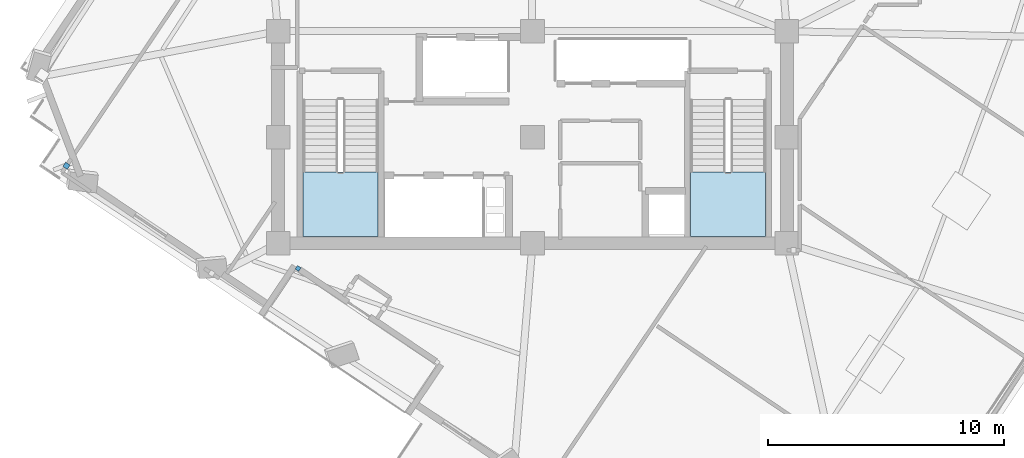
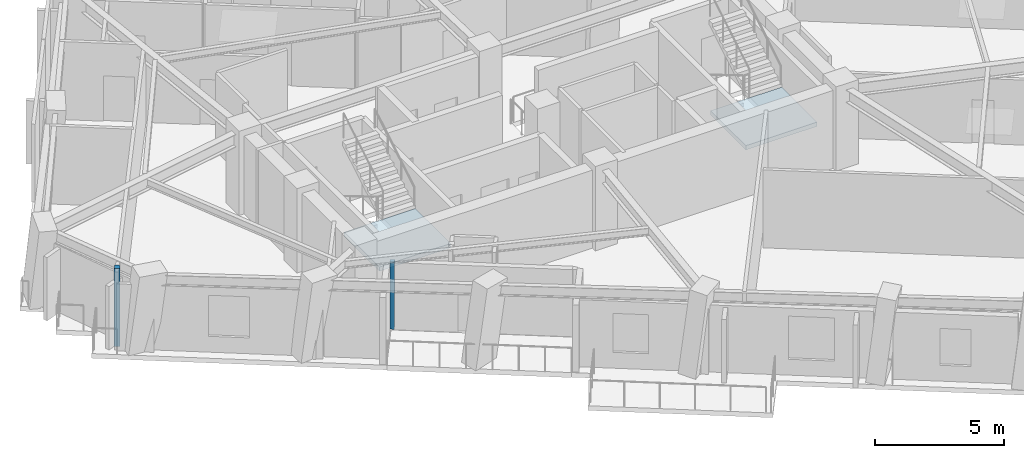
# One storey, part 4 of 14: 2 plates, 2 slabs, 2 elements without a shape of their own.
"""IFC4 building model written with IfcOpenShell, lengths in metres."""

from ifc_helpers import new_model, si_unit, direction, frame, origin, origin_2d, place, context, subcontext, project, spatial, polyline, rectangle, outline, extrude, material, layer, layer_set, type_object, element, aggregate, save


model = new_model("IFC4")

# Units and contexts
model_context = context("Model", 3, precision=1e-05, world=origin(), true_north=direction((0.0, 1.0)))
body_context = subcontext(model_context, "Body", "Model", "MODEL_VIEW")
ifc_project = project(units=[si_unit("LENGTHUNIT", "METRE"), si_unit("AREAUNIT", "SQUARE_METRE"), si_unit("VOLUMEUNIT", "CUBIC_METRE"), si_unit("PLANEANGLEUNIT", "RADIAN"), si_unit("MASSUNIT", "GRAM", prefix="KILO")], contexts=[model_context])

# Site, building, storey
site_placement = place(None, origin())
site = spatial("IfcSite", under=ifc_project, at=site_placement, CompositionType="ELEMENT")
building_placement = place(site_placement, origin())
building = spatial("IfcBuilding", under=site, at=building_placement, Name="Gaonmaruhae Medical Tower", CompositionType="ELEMENT")
storey_placement = place(building_placement, frame((0.0, 0.0, 263.199951171875)))
storey = spatial("IfcBuildingStorey", under=building, at=storey_placement, Name="L63", CompositionType="ELEMENT", Elevation=263.199951171875)

# Plates
ifc_material_1 = material(Name="Anodised aluminium 6063-T6", Category="aluminium")
ifc_layer_1 = layer(ifc_material_1, 0.011962890625)
ifc_layer_set_1 = layer_set([ifc_layer_1], Name="Anodised aluminium 6063-T6")
plate_type = type_object("IfcPlateType", Name="PP-01 Interior Partition Corner Stiffener Plate", PredefinedType="SHEET", material=ifc_layer_set_1)
plate_1_placement = place(storey_placement, frame((14.85205078125, 6.7294921875, 0.0), z_axis=(0.0, 0.0, 1.0), x_axis=(-0.829525244685, 0.558469218875, 0.0)))
element("IfcPlate", 1, at=plate_1_placement, inside=storey, type_object=plate_type, Name="L63 Partition End Jamb Post Plate PLT-L63-ENDP-TERB-1", PredefinedType="SHEET", context=body_context, shape_type="SweptSolid", body=[
    extrude(rectangle(XDim=0.179931640625, YDim=0.179931640625, at=origin_2d()), origin(), (0.0, 0.0, 1.0), 3.18505859375),
])
plate_2_placement = place(storey_placement, frame((5.0205078125, 11.087890625, 0.0), z_axis=(0.0, 0.0, 1.0), x_axis=(0.558382348132, 0.829583722896, 0.0)))
element("IfcPlate", 2, at=plate_2_placement, inside=storey, type_object=plate_type, Name="L63 Partition Corner Stiffener Plate PLT-L63-JGP-PW050", PredefinedType="SHEET", context=body_context, shape_type="SweptSolid", body=[
    extrude(rectangle(XDim=0.219970703125, YDim=0.219970703125, at=origin_2d()), origin(), (0.0, 0.0, 1.0), 3.699951171875),
])

# Stair, slab
ifc_material_2 = material(Name="Concrete C40/50", Category="concrete")
stair_type = type_object("IfcStairType", Name="ST-T1 Primary Core Escape Dogleg Stair", PredefinedType="TWO_QUARTER_TURN_STAIR", material=ifc_material_2)
stair_1_placement = place(storey_placement, origin())
stair_1 = element("IfcStair", 3, at=stair_1_placement, inside=storey, type_object=stair_type, Name="L63 Protected Escape Stair ST-01", PredefinedType="TWO_QUARTER_TURN_STAIR")
ifc_layer_2 = layer(ifc_material_2, 0.199951171875)
ifc_layer_set_2 = layer_set([ifc_layer_2], Name="Concrete C40/50")
slab_type = type_object("IfcSlabType", Name="SL-200 Stair & Ramp Intermediate Concrete Landing", PredefinedType="LANDING", material=ifc_layer_set_2)
slab_1_placement = place(storey_placement, frame((0.0, 0.0, 1.800048828125)))
slab_1 = element("IfcSlab", 4, at=slab_1_placement, type_object=slab_type, Name="ST-01 landing 1", PredefinedType="LANDING", context=body_context, shape_type="SweptSolid", body=[
    extrude(outline(polyline([(15.050048828125, 10.820068359375), (15.050048828125, 8.0791015625), (18.25, 8.0791015625), (18.25, 10.820068359375), (15.050048828125, 10.820068359375)])), origin(), (0.0, 0.0, 1.0), 0.199951171875),
])
aggregate(stair_1, [slab_1])

stair_2_placement = place(storey_placement, origin())
stair_2 = element("IfcStair", 5, at=stair_2_placement, inside=storey, type_object=stair_type, Name="L63 Protected Escape Stair ST-02", PredefinedType="TWO_QUARTER_TURN_STAIR")
slab_2_placement = place(storey_placement, frame((0.0, 0.0, 1.800048828125)))
slab_2 = element("IfcSlab", 6, at=slab_2_placement, type_object=slab_type, Name="ST-02 landing 1", PredefinedType="LANDING", context=body_context, shape_type="SweptSolid", body=[
    extrude(outline(polyline([(31.5, 10.820068359375), (31.5, 8.0791015625), (34.699951171875, 8.0791015625), (34.699951171875, 10.820068359375), (31.5, 10.820068359375)])), origin(), (0.0, 0.0, 1.0), 0.199951171875),
])
aggregate(stair_2, [slab_2])

save(model, "model.ifc")
